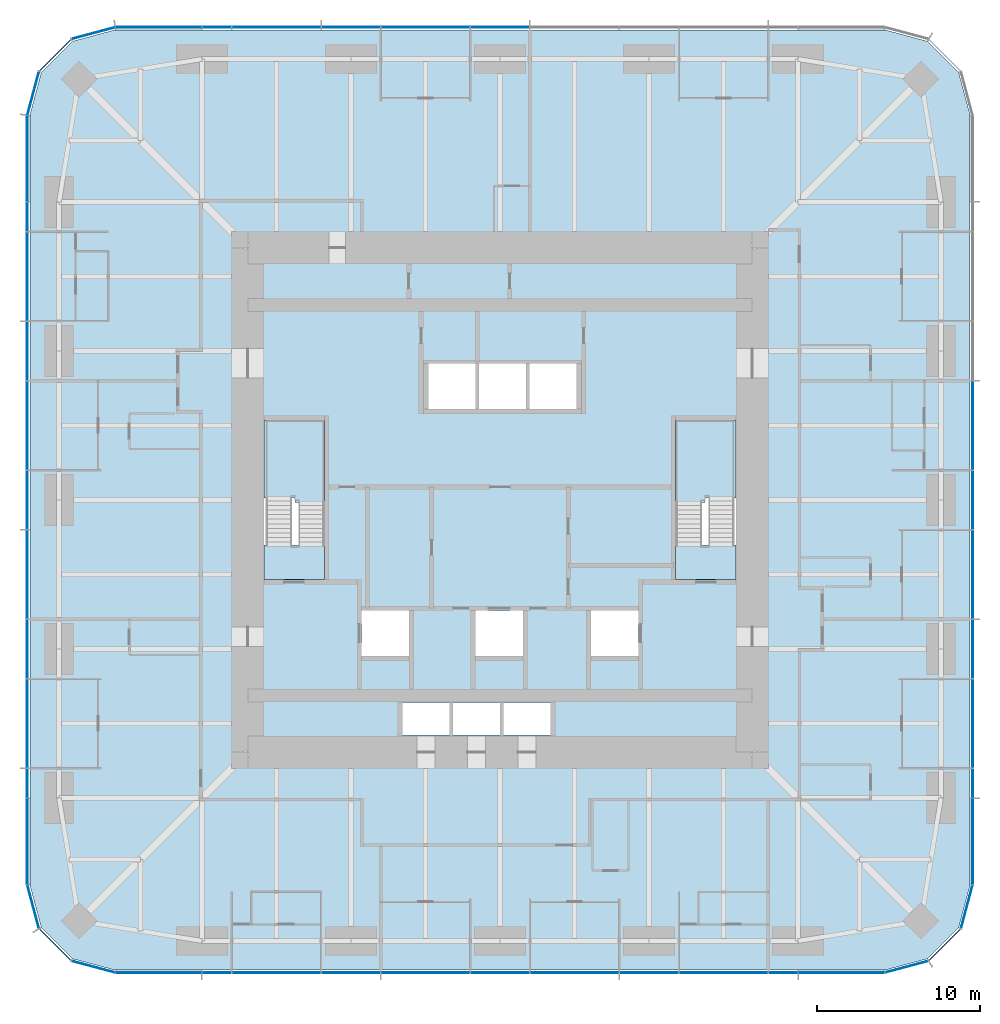
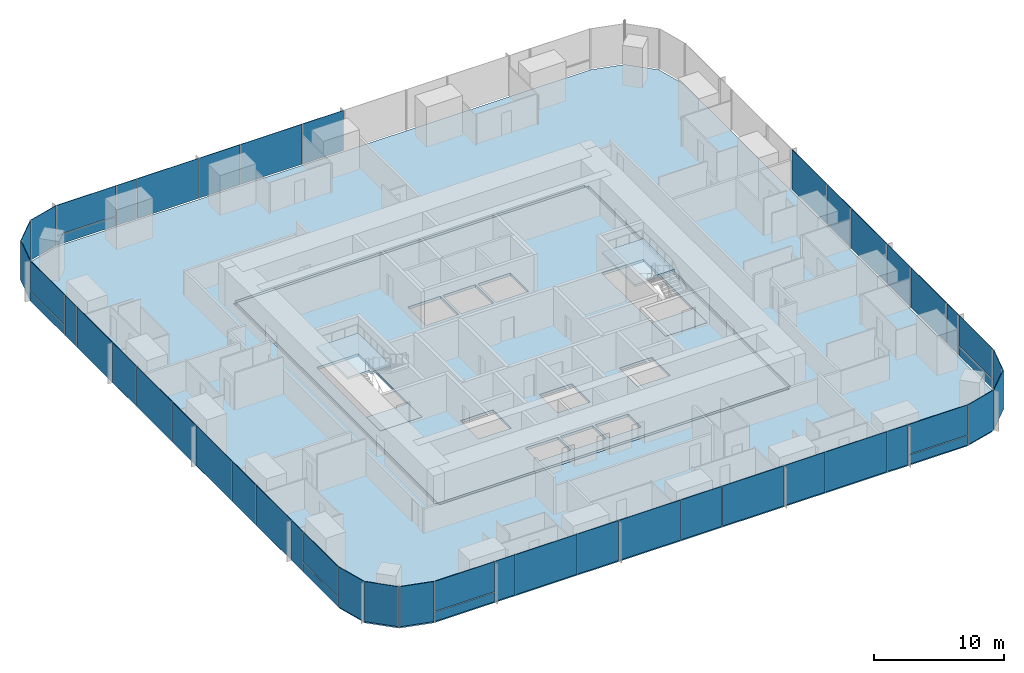
# One storey, part 7 of 13: 50 plates, 6 slabs, 9 elements without a shape of their own.
"""IFC4 building model written with IfcOpenShell, lengths in metres."""

from ifc_helpers import new_model, si_unit, direction, frame, origin, origin_2d, place, context, subcontext, project, spatial, polyline, rectangle, outline, extrude, material, layer, layer_set, type_object, element, aggregate, save


model = new_model("IFC4")

# Units and contexts
model_context = context("Model", 3, precision=1e-05, world=origin(), true_north=direction((0.0, 1.0)))
body_context = subcontext(model_context, "Body", "Model", "MODEL_VIEW")
ifc_project = project(units=[si_unit("LENGTHUNIT", "METRE"), si_unit("AREAUNIT", "SQUARE_METRE"), si_unit("VOLUMEUNIT", "CUBIC_METRE"), si_unit("PLANEANGLEUNIT", "RADIAN"), si_unit("MASSUNIT", "GRAM", prefix="KILO")], contexts=[model_context])

# Site, building, storey
site_placement = place(None, origin())
site = spatial("IfcSite", under=ifc_project, at=site_placement, CompositionType="ELEMENT")
building_placement = place(site_placement, origin())
building = spatial("IfcBuilding", under=site, at=building_placement, Name="Khuree Lantern Residences", CompositionType="ELEMENT")
storey_placement = place(building_placement, frame((0.0, 0.0, 129.75)))
storey = spatial("IfcBuildingStorey", under=building, at=storey_placement, Name="L32", CompositionType="ELEMENT", Elevation=129.75)

# Slab
ifc_material_1 = material(Name="Concrete C35/45", Category="concrete")
ifc_layer_1 = layer(ifc_material_1, 0.25)
ifc_layer_set_1 = layer_set([ifc_layer_1], Name="CFL250 CORE FLOOR SLAB 250")
slab_type_1 = type_object("IfcSlabType", Name="CFL250 CORE FLOOR SLAB 250", PredefinedType="FLOOR", material=ifc_layer_set_1)
slab_1_placement = place(storey_placement, frame((0.0, 0.0, -0.25)))
element("IfcSlab", 1, at=slab_1_placement, inside=storey, type_object=slab_type_1, Name="Core floor L32", PredefinedType="FLOOR", context=body_context, shape_type="SweptSolid", body=[
    extrude(outline(polyline([(-15.5, -15.5), (-15.5, 15.5), (15.5, 15.5), (15.5, -15.5), (-15.5, -15.5)]), holes=[polyline([(10.800048828125, 4.89990234375), (10.800048828125, -4.89990234375), (14.5, -4.89990234375), (14.5, 4.89990234375), (10.800048828125, 4.89990234375)]), polyline([(8.5, -6.800048828125), (5.60009765625, -6.800048828125), (5.60009765625, -9.60009765625), (8.5, -9.60009765625), (8.5, -6.800048828125)]), polyline([(4.699951171875, 8.39990234375), (1.800048828125, 8.39990234375), (1.800048828125, 5.60009765625), (4.699951171875, 5.60009765625), (4.699951171875, 8.39990234375)]), polyline([(3.10009765625, -12.449951171875), (0.199951171875, -12.449951171875), (0.199951171875, -14.449951171875), (3.10009765625, -14.449951171875), (3.10009765625, -12.449951171875)]), polyline([(1.60009765625, 8.39990234375), (-1.300048828125, 8.39990234375), (-1.300048828125, 5.60009765625), (1.60009765625, 5.60009765625), (1.60009765625, 8.39990234375)]), polyline([(1.39990234375, -6.800048828125), (-1.5, -6.800048828125), (-1.5, -9.60009765625), (1.39990234375, -9.60009765625), (1.39990234375, -6.800048828125)]), polyline([(-2.89990234375, -12.449951171875), (-2.89990234375, -14.449951171875), (0.0, -14.449951171875), (0.0, -12.449951171875), (-2.89990234375, -12.449951171875)]), polyline([(-4.39990234375, 8.39990234375), (-4.39990234375, 5.60009765625), (-1.5, 5.60009765625), (-1.5, 8.39990234375), (-4.39990234375, 8.39990234375)]), polyline([(-6.0, -12.449951171875), (-6.0, -14.449951171875), (-3.10009765625, -14.449951171875), (-3.10009765625, -12.449951171875), (-6.0, -12.449951171875)]), polyline([(-8.5, -6.800048828125), (-8.5, -9.60009765625), (-5.60009765625, -9.60009765625), (-5.60009765625, -6.800048828125), (-8.5, -6.800048828125)]), polyline([(-10.800048828125, 4.89990234375), (-14.5, 4.89990234375), (-14.5, -4.89990234375), (-10.800048828125, -4.89990234375), (-10.800048828125, 4.89990234375)])]), origin(), (0.0, 0.0, 1.0), 0.25),
])

# Curtain wall, plates
ifc_material_2 = material(Name="Bronze anodised aluminium", Category="aluminium")
curtain_wall_type_1 = type_object("IfcCurtainWallType", Name="CW-T2 TOWER CORNER CURTAIN WALL", PredefinedType="USERDEFINED", material=ifc_material_2)
curtain_wall_1_placement = place(storey_placement, origin())
curtain_wall_1 = element("IfcCurtainWall", 2, at=curtain_wall_1_placement, inside=storey, type_object=curtain_wall_type_1, Name="L32 SOUTH-EAST CORNER CURTAIN WALL", ObjectType="Faceted corner curtain wall", PredefinedType="USERDEFINED")
ifc_material_3 = material(Name="Bronze tinted triple glazing", Category="glass")
ifc_layer_2 = layer(ifc_material_3, 0.048095703125)
ifc_layer_set_2 = layer_set([ifc_layer_2], Name="FACET PANEL P4")
plate_type_1 = type_object("IfcPlateType", Name="FACET PANEL P4", PredefinedType="CURTAIN_PANEL", material=ifc_layer_set_2)
plate_1_placement = place(storey_placement, frame((24.998046875, -28.688720703125, 0.0), z_axis=(0.0, 0.0, 1.0), x_axis=(0.965925810153, 0.258819105321, 0.0)))
plate_1 = element("IfcPlate", 3, at=plate_1_placement, type_object=plate_type_1, Name="L32 SOUTH-EAST CORNER PANEL 1.1", PredefinedType="CURTAIN_PANEL", context=body_context, shape_type="SweptSolid", body=[
    extrude(rectangle(XDim=2.71923828125, YDim=0.048095703125, at=origin_2d()), origin(), (0.0, 0.0, 1.0), 3.75),
])
plate_2_placement = place(storey_placement, frame((27.33837890625, -27.33837890625, 0.0), z_axis=(0.0, 0.0, 1.0), x_axis=(0.707106781187, 0.707106781187, 0.0)))
plate_2 = element("IfcPlate", 4, at=plate_2_placement, type_object=plate_type_1, Name="L32 SOUTH-EAST CORNER PANEL 2.1", PredefinedType="CURTAIN_PANEL", context=body_context, shape_type="SweptSolid", body=[
    extrude(rectangle(XDim=2.715087890625, YDim=0.048095703125, at=origin_2d()), origin(), (0.0, 0.0, 1.0), 3.75),
])
plate_3_placement = place(storey_placement, frame((28.688720703125, -24.998046875, 0.0), z_axis=(0.0, 0.0, 1.0), x_axis=(0.258819105321, 0.965925810153, 0.0)))
plate_3 = element("IfcPlate", 5, at=plate_3_placement, type_object=plate_type_1, Name="L32 SOUTH-EAST CORNER PANEL 3.1", PredefinedType="CURTAIN_PANEL", context=body_context, shape_type="SweptSolid", body=[
    extrude(rectangle(XDim=2.71923828125, YDim=0.048095703125, at=origin_2d()), origin(), (0.0, 0.0, 1.0), 3.75),
])
aggregate(curtain_wall_1, [plate_1, plate_2, plate_3])

curtain_wall_2_placement = place(storey_placement, origin())
curtain_wall_2 = element("IfcCurtainWall", 6, at=curtain_wall_2_placement, inside=storey, type_object=curtain_wall_type_1, Name="L32 NORTH-WEST CORNER CURTAIN WALL", ObjectType="Faceted corner curtain wall", PredefinedType="USERDEFINED")
plate_4_placement = place(storey_placement, frame((-24.998046875, 28.688720703125, 0.0), z_axis=(0.0, 0.0, 1.0), x_axis=(-0.965925810153, -0.258819105321, 0.0)))
plate_4 = element("IfcPlate", 7, at=plate_4_placement, type_object=plate_type_1, Name="L32 NORTH-WEST CORNER PANEL 29.1", PredefinedType="CURTAIN_PANEL", context=body_context, shape_type="SweptSolid", body=[
    extrude(rectangle(XDim=2.71923828125, YDim=0.048095703125, at=origin_2d()), origin(), (0.0, 0.0, 1.0), 3.75),
])
plate_5_placement = place(storey_placement, frame((-27.33837890625, 27.33837890625, 0.0), z_axis=(0.0, 0.0, 1.0), x_axis=(-0.707106781187, -0.707106781187, 0.0)))
plate_5 = element("IfcPlate", 8, at=plate_5_placement, type_object=plate_type_1, Name="L32 NORTH-WEST CORNER PANEL 30.1", PredefinedType="CURTAIN_PANEL", context=body_context, shape_type="SweptSolid", body=[
    extrude(rectangle(XDim=2.715087890625, YDim=0.048095703125, at=origin_2d()), origin(), (0.0, 0.0, 1.0), 3.75),
])
plate_6_placement = place(storey_placement, frame((-28.688720703125, 24.998046875, 0.0), z_axis=(0.0, 0.0, 1.0), x_axis=(-0.258819105321, -0.965925810153, 0.0)))
plate_6 = element("IfcPlate", 9, at=plate_6_placement, type_object=plate_type_1, Name="L32 NORTH-WEST CORNER PANEL 31.1", PredefinedType="CURTAIN_PANEL", context=body_context, shape_type="SweptSolid", body=[
    extrude(rectangle(XDim=2.71923828125, YDim=0.048095703125, at=origin_2d()), origin(), (0.0, 0.0, 1.0), 3.75),
])
aggregate(curtain_wall_2, [plate_4, plate_5, plate_6])

curtain_wall_3_placement = place(storey_placement, origin())
curtain_wall_3 = element("IfcCurtainWall", 10, at=curtain_wall_3_placement, inside=storey, type_object=curtain_wall_type_1, Name="L32 SOUTH-WEST CORNER CURTAIN WALL", ObjectType="Faceted corner curtain wall", PredefinedType="USERDEFINED")
plate_7_placement = place(storey_placement, frame((-28.688720703125, -24.998046875, 0.0), z_axis=(0.0, 0.0, 1.0), x_axis=(0.258819105321, -0.965925810153, 0.0)))
plate_7 = element("IfcPlate", 11, at=plate_7_placement, type_object=plate_type_1, Name="L32 SOUTH-WEST CORNER PANEL 43.1", PredefinedType="CURTAIN_PANEL", context=body_context, shape_type="SweptSolid", body=[
    extrude(rectangle(XDim=2.71923828125, YDim=0.048095703125, at=origin_2d()), origin(), (0.0, 0.0, 1.0), 3.75),
])
plate_8_placement = place(storey_placement, frame((-27.33837890625, -27.33837890625, 0.0), z_axis=(0.0, 0.0, 1.0), x_axis=(0.707106781187, -0.707106781187, 0.0)))
plate_8 = element("IfcPlate", 12, at=plate_8_placement, type_object=plate_type_1, Name="L32 SOUTH-WEST CORNER PANEL 44.1", PredefinedType="CURTAIN_PANEL", context=body_context, shape_type="SweptSolid", body=[
    extrude(rectangle(XDim=2.715087890625, YDim=0.048095703125, at=origin_2d()), origin(), (0.0, 0.0, 1.0), 3.75),
])
plate_9_placement = place(storey_placement, frame((-24.998046875, -28.688720703125, 0.0), z_axis=(0.0, 0.0, 1.0), x_axis=(0.965925810153, -0.258819105321, 0.0)))
plate_9 = element("IfcPlate", 13, at=plate_9_placement, type_object=plate_type_1, Name="L32 SOUTH-WEST CORNER PANEL 45.1", PredefinedType="CURTAIN_PANEL", context=body_context, shape_type="SweptSolid", body=[
    extrude(rectangle(XDim=2.71923828125, YDim=0.048095703125, at=origin_2d()), origin(), (0.0, 0.0, 1.0), 3.75),
])
aggregate(curtain_wall_3, [plate_7, plate_8, plate_9])

curtain_wall_type_2 = type_object("IfcCurtainWallType", Name="CW-T1 TOWER FACE CURTAIN WALL", PredefinedType="USERDEFINED", material=ifc_material_2)
curtain_wall_4_placement = place(storey_placement, origin())
curtain_wall_4 = element("IfcCurtainWall", 14, at=curtain_wall_4_placement, inside=storey, type_object=curtain_wall_type_2, Name="L32 EAST FACE CURTAIN WALL", ObjectType="Stick-built curtain wall", PredefinedType="USERDEFINED")
ifc_material_4 = material(Name="Bronze tinted triple glazing with a ceramic-fritted spandrel band", Category="glass")
ifc_layer_3 = layer(ifc_material_4, 0.048095703125)
ifc_layer_set_3 = layer_set([ifc_layer_3], Name="FIXED LIGHT PANEL P11")
plate_type_2 = type_object("IfcPlateType", Name="FIXED LIGHT PANEL P11", PredefinedType="CURTAIN_PANEL", material=ifc_layer_set_3)
plate_10_placement = place(storey_placement, frame((29.050048828125, -13.739990234375, 0.0), z_axis=(0.0, 0.0, 1.0), x_axis=(0.0, 1.0, 0.0)))
plate_10 = element("IfcPlate", 15, at=plate_10_placement, type_object=plate_type_2, Name="L32 EAST FACE PANEL 6.1", PredefinedType="CURTAIN_PANEL", context=body_context, shape_type="SweptSolid", body=[
    extrude(rectangle(XDim=5.430908203125, YDim=0.048095703125, at=origin_2d()), origin(), (0.0, 0.0, 1.0), 3.75),
])
plate_11_placement = place(storey_placement, frame((29.050048828125, -4.580078125, 0.0), z_axis=(0.0, 0.0, 1.0), x_axis=(0.0, 1.0, 0.0)))
plate_11 = element("IfcPlate", 16, at=plate_11_placement, type_object=plate_type_2, Name="L32 EAST FACE PANEL 8.1", PredefinedType="CURTAIN_PANEL", context=body_context, shape_type="SweptSolid", body=[
    extrude(rectangle(XDim=5.430908203125, YDim=0.048095703125, at=origin_2d()), origin(), (0.0, 0.0, 1.0), 3.75),
])
plate_12_placement = place(storey_placement, frame((29.050048828125, 4.580078125, 0.0), z_axis=(0.0, 0.0, 1.0), x_axis=(0.0, 1.0, 0.0)))
plate_12 = element("IfcPlate", 17, at=plate_12_placement, type_object=plate_type_2, Name="L32 EAST FACE PANEL 10.1", PredefinedType="CURTAIN_PANEL", context=body_context, shape_type="SweptSolid", body=[
    extrude(rectangle(XDim=5.430908203125, YDim=0.048095703125, at=origin_2d()), origin(), (0.0, 0.0, 1.0), 3.75),
])

curtain_wall_5_placement = place(storey_placement, origin())
curtain_wall_5 = element("IfcCurtainWall", 18, at=curtain_wall_5_placement, inside=storey, type_object=curtain_wall_type_2, Name="L32 NORTH FACE CURTAIN WALL", ObjectType="Stick-built curtain wall", PredefinedType="USERDEFINED")
plate_13_placement = place(storey_placement, frame((-4.580078125, 29.050048828125, 0.0), z_axis=(0.0, 0.0, 1.0), x_axis=(-1.0, 0.0, 0.0)))
plate_13 = element("IfcPlate", 19, at=plate_13_placement, type_object=plate_type_2, Name="L32 NORTH FACE PANEL 24.1", PredefinedType="CURTAIN_PANEL", context=body_context, shape_type="SweptSolid", body=[
    extrude(rectangle(XDim=5.430908203125, YDim=0.048095703125, at=origin_2d()), origin(), (0.0, 0.0, 1.0), 3.75),
])
plate_14_placement = place(storey_placement, frame((-13.739990234375, 29.050048828125, 0.0), z_axis=(0.0, 0.0, 1.0), x_axis=(-1.0, 0.0, 0.0)))
plate_14 = element("IfcPlate", 20, at=plate_14_placement, type_object=plate_type_2, Name="L32 NORTH FACE PANEL 26.1", PredefinedType="CURTAIN_PANEL", context=body_context, shape_type="SweptSolid", body=[
    extrude(rectangle(XDim=5.430908203125, YDim=0.048095703125, at=origin_2d()), origin(), (0.0, 0.0, 1.0), 3.75),
])

curtain_wall_6_placement = place(storey_placement, origin())
curtain_wall_6 = element("IfcCurtainWall", 21, at=curtain_wall_6_placement, inside=storey, type_object=curtain_wall_type_2, Name="L32 WEST FACE CURTAIN WALL", ObjectType="Stick-built curtain wall", PredefinedType="USERDEFINED")
plate_15_placement = place(storey_placement, frame((-29.050048828125, 13.739990234375, 0.0), z_axis=(0.0, 0.0, 1.0), x_axis=(0.0, -1.0, 0.0)))
plate_15 = element("IfcPlate", 22, at=plate_15_placement, type_object=plate_type_2, Name="L32 WEST FACE PANEL 34.1", PredefinedType="CURTAIN_PANEL", context=body_context, shape_type="SweptSolid", body=[
    extrude(rectangle(XDim=5.430908203125, YDim=0.048095703125, at=origin_2d()), origin(), (0.0, 0.0, 1.0), 3.75),
])
plate_16_placement = place(storey_placement, frame((-29.050048828125, 4.580078125, 0.0), z_axis=(0.0, 0.0, 1.0), x_axis=(0.0, -1.0, 0.0)))
plate_16 = element("IfcPlate", 23, at=plate_16_placement, type_object=plate_type_2, Name="L32 WEST FACE PANEL 36.1", PredefinedType="CURTAIN_PANEL", context=body_context, shape_type="SweptSolid", body=[
    extrude(rectangle(XDim=5.430908203125, YDim=0.048095703125, at=origin_2d()), origin(), (0.0, 0.0, 1.0), 3.75),
])
plate_17_placement = place(storey_placement, frame((-29.050048828125, -4.580078125, 0.0), z_axis=(0.0, 0.0, 1.0), x_axis=(0.0, -1.0, 0.0)))
plate_17 = element("IfcPlate", 24, at=plate_17_placement, type_object=plate_type_2, Name="L32 WEST FACE PANEL 38.1", PredefinedType="CURTAIN_PANEL", context=body_context, shape_type="SweptSolid", body=[
    extrude(rectangle(XDim=5.430908203125, YDim=0.048095703125, at=origin_2d()), origin(), (0.0, 0.0, 1.0), 3.75),
])
plate_18_placement = place(storey_placement, frame((-29.050048828125, -13.739990234375, 0.0), z_axis=(0.0, 0.0, 1.0), x_axis=(0.0, -1.0, 0.0)))
plate_18 = element("IfcPlate", 25, at=plate_18_placement, type_object=plate_type_2, Name="L32 WEST FACE PANEL 40.1", PredefinedType="CURTAIN_PANEL", context=body_context, shape_type="SweptSolid", body=[
    extrude(rectangle(XDim=5.430908203125, YDim=0.048095703125, at=origin_2d()), origin(), (0.0, 0.0, 1.0), 3.75),
])

curtain_wall_7_placement = place(storey_placement, origin())
curtain_wall_7 = element("IfcCurtainWall", 26, at=curtain_wall_7_placement, inside=storey, type_object=curtain_wall_type_2, Name="L32 SOUTH FACE CURTAIN WALL", ObjectType="Stick-built curtain wall", PredefinedType="USERDEFINED")
plate_19_placement = place(storey_placement, frame((-13.739990234375, -29.050048828125, 0.0), z_axis=(0.0, 0.0, 1.0), x_axis=(1.0, 0.0, 0.0)))
plate_19 = element("IfcPlate", 27, at=plate_19_placement, type_object=plate_type_2, Name="L32 SOUTH FACE PANEL 48.1", PredefinedType="CURTAIN_PANEL", context=body_context, shape_type="SweptSolid", body=[
    extrude(rectangle(XDim=5.430908203125, YDim=0.048095703125, at=origin_2d()), origin(), (0.0, 0.0, 1.0), 3.75),
])
plate_20_placement = place(storey_placement, frame((-4.580078125, -29.050048828125, 0.0), z_axis=(0.0, 0.0, 1.0), x_axis=(1.0, 0.0, 0.0)))
plate_20 = element("IfcPlate", 28, at=plate_20_placement, type_object=plate_type_2, Name="L32 SOUTH FACE PANEL 50.1", PredefinedType="CURTAIN_PANEL", context=body_context, shape_type="SweptSolid", body=[
    extrude(rectangle(XDim=5.430908203125, YDim=0.048095703125, at=origin_2d()), origin(), (0.0, 0.0, 1.0), 3.75),
])
plate_21_placement = place(storey_placement, frame((4.580078125, -29.050048828125, 0.0), z_axis=(0.0, 0.0, 1.0), x_axis=(1.0, 0.0, 0.0)))
plate_21 = element("IfcPlate", 29, at=plate_21_placement, type_object=plate_type_2, Name="L32 SOUTH FACE PANEL 52.1", PredefinedType="CURTAIN_PANEL", context=body_context, shape_type="SweptSolid", body=[
    extrude(rectangle(XDim=5.430908203125, YDim=0.048095703125, at=origin_2d()), origin(), (0.0, 0.0, 1.0), 3.75),
])
plate_22_placement = place(storey_placement, frame((13.739990234375, -29.050048828125, 0.0), z_axis=(0.0, 0.0, 1.0), x_axis=(1.0, 0.0, 0.0)))
plate_22 = element("IfcPlate", 30, at=plate_22_placement, type_object=plate_type_2, Name="L32 SOUTH FACE PANEL 54.1", PredefinedType="CURTAIN_PANEL", context=body_context, shape_type="SweptSolid", body=[
    extrude(rectangle(XDim=5.430908203125, YDim=0.048095703125, at=origin_2d()), origin(), (0.0, 0.0, 1.0), 3.75),
])

# Slab
ifc_layer_4 = layer(ifc_material_1, 0.25)
ifc_layer_set_4 = layer_set([ifc_layer_4], Name="FS250 FLOOR SLAB 250")
slab_type_2 = type_object("IfcSlabType", Name="FS250 FLOOR SLAB 250", PredefinedType="FLOOR", material=ifc_layer_set_4)
slab_2_placement = place(storey_placement, frame((0.0, 0.0, -0.25)))
element("IfcSlab", 31, at=slab_2_placement, inside=storey, type_object=slab_type_2, Name="Floor slab L32", PredefinedType="FLOOR", context=body_context, shape_type="SweptSolid", body=[
    extrude(outline(polyline([(-26.27490234375, -28.196533203125), (-28.196533203125, -26.27490234375), (-28.89990234375, -23.64990234375), (-28.89990234375, 23.64990234375), (-28.196533203125, 26.27490234375), (-26.27490234375, 28.196533203125), (-23.64990234375, 28.89990234375), (23.64990234375, 28.89990234375), (26.27490234375, 28.196533203125), (28.196533203125, 26.27490234375), (28.89990234375, 23.64990234375), (28.89990234375, -23.64990234375), (28.196533203125, -26.27490234375), (26.27490234375, -28.196533203125), (23.64990234375, -28.89990234375), (-23.64990234375, -28.89990234375), (-26.27490234375, -28.196533203125)]), holes=[polyline([(15.75, 15.5), (15.5, 15.5), (15.5, 15.75), (-15.5, 15.75), (-15.5, 15.5), (-15.75, 15.5), (-15.75, -15.5), (-15.5, -15.5), (-15.5, -15.75), (15.5, -15.75), (15.5, -15.5), (15.75, -15.5), (15.75, 15.5)])]), origin(), (0.0, 0.0, 1.0), 0.25),
])

# Plate
ifc_material_5 = material(Name="Bronze tinted triple glazing, two aluminium-framed sashes in one frame", Category="aluminium")
ifc_layer_5 = layer(ifc_material_5, 0.048095703125)
ifc_layer_set_5 = layer_set([ifc_layer_5], Name="SASH PAIR PANEL P12")
plate_type_3 = type_object("IfcPlateType", Name="SASH PAIR PANEL P12", PredefinedType="CURTAIN_PANEL", material=ifc_layer_set_5)
plate_23_placement = place(storey_placement, frame((29.050048828125, -9.159912109375, 0.0), z_axis=(0.0, 0.0, 1.0), x_axis=(0.0, 1.0, 0.0)))
plate_23 = element("IfcPlate", 32, at=plate_23_placement, type_object=plate_type_3, Name="L32 EAST FACE PANEL 7.1", PredefinedType="CURTAIN_PANEL", context=body_context, shape_type="SweptSolid", body=[
    extrude(rectangle(XDim=3.59912109375, YDim=0.048095703125, at=origin_2d()), origin(), (0.0, 0.0, 1.0), 3.75),
])

plate_24_placement = place(storey_placement, frame((29.050048828125, 0.0, 0.0), z_axis=(0.0, 0.0, 1.0), x_axis=(0.0, 1.0, 0.0)))
plate_24 = element("IfcPlate", 33, at=plate_24_placement, type_object=plate_type_3, Name="L32 EAST FACE PANEL 9.1", PredefinedType="CURTAIN_PANEL", context=body_context, shape_type="SweptSolid", body=[
    extrude(rectangle(XDim=3.59912109375, YDim=0.048095703125, at=origin_2d()), origin(), (0.0, 0.0, 1.0), 3.75),
])

plate_25_placement = place(storey_placement, frame((0.0, 29.050048828125, 0.0), z_axis=(0.0, 0.0, 1.0), x_axis=(-1.0, 0.0, 0.0)))
plate_25 = element("IfcPlate", 34, at=plate_25_placement, type_object=plate_type_3, Name="L32 NORTH FACE PANEL 23.1", PredefinedType="CURTAIN_PANEL", context=body_context, shape_type="SweptSolid", body=[
    extrude(rectangle(XDim=3.59912109375, YDim=0.048095703125, at=origin_2d()), origin(), (0.0, 0.0, 1.0), 3.75),
])

plate_26_placement = place(storey_placement, frame((-9.159912109375, 29.050048828125, 0.0), z_axis=(0.0, 0.0, 1.0), x_axis=(-1.0, 0.0, 0.0)))
plate_26 = element("IfcPlate", 35, at=plate_26_placement, type_object=plate_type_3, Name="L32 NORTH FACE PANEL 25.1", PredefinedType="CURTAIN_PANEL", context=body_context, shape_type="SweptSolid", body=[
    extrude(rectangle(XDim=3.59912109375, YDim=0.048095703125, at=origin_2d()), origin(), (0.0, 0.0, 1.0), 3.75),
])

plate_27_placement = place(storey_placement, frame((-29.050048828125, 9.159912109375, 0.0), z_axis=(0.0, 0.0, 1.0), x_axis=(0.0, -1.0, 0.0)))
plate_27 = element("IfcPlate", 36, at=plate_27_placement, type_object=plate_type_3, Name="L32 WEST FACE PANEL 35.1", PredefinedType="CURTAIN_PANEL", context=body_context, shape_type="SweptSolid", body=[
    extrude(rectangle(XDim=3.59912109375, YDim=0.048095703125, at=origin_2d()), origin(), (0.0, 0.0, 1.0), 3.75),
])

plate_28_placement = place(storey_placement, frame((-29.050048828125, 0.0, 0.0), z_axis=(0.0, 0.0, 1.0), x_axis=(0.0, -1.0, 0.0)))
plate_28 = element("IfcPlate", 37, at=plate_28_placement, type_object=plate_type_3, Name="L32 WEST FACE PANEL 37.1", PredefinedType="CURTAIN_PANEL", context=body_context, shape_type="SweptSolid", body=[
    extrude(rectangle(XDim=3.59912109375, YDim=0.048095703125, at=origin_2d()), origin(), (0.0, 0.0, 1.0), 3.75),
])

plate_29_placement = place(storey_placement, frame((-29.050048828125, -9.159912109375, 0.0), z_axis=(0.0, 0.0, 1.0), x_axis=(0.0, -1.0, 0.0)))
plate_29 = element("IfcPlate", 38, at=plate_29_placement, type_object=plate_type_3, Name="L32 WEST FACE PANEL 39.1", PredefinedType="CURTAIN_PANEL", context=body_context, shape_type="SweptSolid", body=[
    extrude(rectangle(XDim=3.59912109375, YDim=0.048095703125, at=origin_2d()), origin(), (0.0, 0.0, 1.0), 3.75),
])

plate_30_placement = place(storey_placement, frame((-9.159912109375, -29.050048828125, 0.0), z_axis=(0.0, 0.0, 1.0), x_axis=(1.0, 0.0, 0.0)))
plate_30 = element("IfcPlate", 39, at=plate_30_placement, type_object=plate_type_3, Name="L32 SOUTH FACE PANEL 49.1", PredefinedType="CURTAIN_PANEL", context=body_context, shape_type="SweptSolid", body=[
    extrude(rectangle(XDim=3.59912109375, YDim=0.048095703125, at=origin_2d()), origin(), (0.0, 0.0, 1.0), 3.75),
])

plate_31_placement = place(storey_placement, frame((0.0, -29.050048828125, 0.0), z_axis=(0.0, 0.0, 1.0), x_axis=(1.0, 0.0, 0.0)))
plate_31 = element("IfcPlate", 40, at=plate_31_placement, type_object=plate_type_3, Name="L32 SOUTH FACE PANEL 51.1", PredefinedType="CURTAIN_PANEL", context=body_context, shape_type="SweptSolid", body=[
    extrude(rectangle(XDim=3.59912109375, YDim=0.048095703125, at=origin_2d()), origin(), (0.0, 0.0, 1.0), 3.75),
])

plate_32_placement = place(storey_placement, frame((9.159912109375, -29.050048828125, 0.0), z_axis=(0.0, 0.0, 1.0), x_axis=(1.0, 0.0, 0.0)))
plate_32 = element("IfcPlate", 41, at=plate_32_placement, type_object=plate_type_3, Name="L32 SOUTH FACE PANEL 53.1", PredefinedType="CURTAIN_PANEL", context=body_context, shape_type="SweptSolid", body=[
    extrude(rectangle(XDim=3.59912109375, YDim=0.048095703125, at=origin_2d()), origin(), (0.0, 0.0, 1.0), 3.75),
])

ifc_material_6 = material(Name="Bronze tinted triple glazing, aluminium-framed sash", Category="aluminium")
ifc_layer_6 = layer(ifc_material_6, 0.048095703125)
ifc_layer_set_6 = layer_set([ifc_layer_6], Name="SASH PANEL P3")
plate_type_4 = type_object("IfcPlateType", Name="SASH PANEL P3", PredefinedType="CURTAIN_PANEL", material=ifc_layer_set_6)
plate_33_placement = place(storey_placement, frame((29.050048828125, -17.404052734375, 0.0), z_axis=(0.0, 0.0, 1.0), x_axis=(0.0, 1.0, 0.0)))
plate_33 = element("IfcPlate", 42, at=plate_33_placement, type_object=plate_type_4, Name="L32 EAST FACE PANEL 5.1", PredefinedType="CURTAIN_PANEL", context=body_context, shape_type="SweptSolid", body=[
    extrude(rectangle(XDim=1.76708984375, YDim=0.048095703125, at=origin_2d()), origin(), (0.0, 0.0, 1.0), 3.75),
])

plate_34_placement = place(storey_placement, frame((-17.404052734375, 29.050048828125, 0.0), z_axis=(0.0, 0.0, 1.0), x_axis=(-1.0, 0.0, 0.0)))
plate_34 = element("IfcPlate", 43, at=plate_34_placement, type_object=plate_type_4, Name="L32 NORTH FACE PANEL 27.1", PredefinedType="CURTAIN_PANEL", context=body_context, shape_type="SweptSolid", body=[
    extrude(rectangle(XDim=1.76708984375, YDim=0.048095703125, at=origin_2d()), origin(), (0.0, 0.0, 1.0), 3.75),
])

plate_35_placement = place(storey_placement, frame((-29.050048828125, 17.404052734375, 0.0), z_axis=(0.0, 0.0, 1.0), x_axis=(0.0, -1.0, 0.0)))
plate_35 = element("IfcPlate", 44, at=plate_35_placement, type_object=plate_type_4, Name="L32 WEST FACE PANEL 33.1", PredefinedType="CURTAIN_PANEL", context=body_context, shape_type="SweptSolid", body=[
    extrude(rectangle(XDim=1.76708984375, YDim=0.048095703125, at=origin_2d()), origin(), (0.0, 0.0, 1.0), 3.75),
])

plate_36_placement = place(storey_placement, frame((-29.050048828125, -17.404052734375, 0.0), z_axis=(0.0, 0.0, 1.0), x_axis=(0.0, -1.0, 0.0)))
plate_36 = element("IfcPlate", 45, at=plate_36_placement, type_object=plate_type_4, Name="L32 WEST FACE PANEL 41.1", PredefinedType="CURTAIN_PANEL", context=body_context, shape_type="SweptSolid", body=[
    extrude(rectangle(XDim=1.76708984375, YDim=0.048095703125, at=origin_2d()), origin(), (0.0, 0.0, 1.0), 3.75),
])

plate_37_placement = place(storey_placement, frame((-17.404052734375, -29.050048828125, 0.0), z_axis=(0.0, 0.0, 1.0), x_axis=(1.0, 0.0, 0.0)))
plate_37 = element("IfcPlate", 46, at=plate_37_placement, type_object=plate_type_4, Name="L32 SOUTH FACE PANEL 47.1", PredefinedType="CURTAIN_PANEL", context=body_context, shape_type="SweptSolid", body=[
    extrude(rectangle(XDim=1.76708984375, YDim=0.048095703125, at=origin_2d()), origin(), (0.0, 0.0, 1.0), 3.75),
])

plate_38_placement = place(storey_placement, frame((17.404052734375, -29.050048828125, 0.0), z_axis=(0.0, 0.0, 1.0), x_axis=(1.0, 0.0, 0.0)))
plate_38 = element("IfcPlate", 47, at=plate_38_placement, type_object=plate_type_4, Name="L32 SOUTH FACE PANEL 55.1", PredefinedType="CURTAIN_PANEL", context=body_context, shape_type="SweptSolid", body=[
    extrude(rectangle(XDim=1.76708984375, YDim=0.048095703125, at=origin_2d()), origin(), (0.0, 0.0, 1.0), 3.75),
])

ifc_material_7 = material(Name="Bronze anodised aluminium insulated spandrel", Category="aluminium")
ifc_layer_7 = layer(ifc_material_7, 0.06005859375)
ifc_layer_set_7 = layer_set([ifc_layer_7], Name="SPANDREL PANEL P2")
plate_type_5 = type_object("IfcPlateType", Name="SPANDREL PANEL P2", PredefinedType="CURTAIN_PANEL", material=ifc_layer_set_7)
plate_39_placement = place(storey_placement, frame((29.050048828125, -20.98291015625, 0.0), z_axis=(0.0, 0.0, 1.0), x_axis=(0.0, 1.0, 0.0)))
plate_39 = element("IfcPlate", 48, at=plate_39_placement, type_object=plate_type_5, Name="L32 EAST FACE PANEL 4.1", PredefinedType="CURTAIN_PANEL", context=body_context, shape_type="SweptSolid", body=[
    extrude(rectangle(XDim=5.2607421875, YDim=0.06005859375, at=origin_2d()), origin(), (0.0, 0.0, 1.0), 0.867431640625),
])

plate_40_placement = place(storey_placement, frame((-20.98291015625, 29.050048828125, 0.0), z_axis=(0.0, 0.0, 1.0), x_axis=(-1.0, 0.0, 0.0)))
plate_40 = element("IfcPlate", 49, at=plate_40_placement, type_object=plate_type_5, Name="L32 NORTH FACE PANEL 28.1", PredefinedType="CURTAIN_PANEL", context=body_context, shape_type="SweptSolid", body=[
    extrude(rectangle(XDim=5.2607421875, YDim=0.06005859375, at=origin_2d()), origin(), (0.0, 0.0, 1.0), 0.867431640625),
])

plate_41_placement = place(storey_placement, frame((-29.050048828125, 20.98291015625, 0.0), z_axis=(0.0, 0.0, 1.0), x_axis=(0.0, -1.0, 0.0)))
plate_41 = element("IfcPlate", 50, at=plate_41_placement, type_object=plate_type_5, Name="L32 WEST FACE PANEL 32.1", PredefinedType="CURTAIN_PANEL", context=body_context, shape_type="SweptSolid", body=[
    extrude(rectangle(XDim=5.2607421875, YDim=0.06005859375, at=origin_2d()), origin(), (0.0, 0.0, 1.0), 0.867431640625),
])

plate_42_placement = place(storey_placement, frame((-29.050048828125, -20.98291015625, 0.0), z_axis=(0.0, 0.0, 1.0), x_axis=(0.0, -1.0, 0.0)))
plate_42 = element("IfcPlate", 51, at=plate_42_placement, type_object=plate_type_5, Name="L32 WEST FACE PANEL 42.1", PredefinedType="CURTAIN_PANEL", context=body_context, shape_type="SweptSolid", body=[
    extrude(rectangle(XDim=5.2607421875, YDim=0.06005859375, at=origin_2d()), origin(), (0.0, 0.0, 1.0), 0.867431640625),
])

plate_43_placement = place(storey_placement, frame((-20.98291015625, -29.050048828125, 0.0), z_axis=(0.0, 0.0, 1.0), x_axis=(1.0, 0.0, 0.0)))
plate_43 = element("IfcPlate", 52, at=plate_43_placement, type_object=plate_type_5, Name="L32 SOUTH FACE PANEL 46.1", PredefinedType="CURTAIN_PANEL", context=body_context, shape_type="SweptSolid", body=[
    extrude(rectangle(XDim=5.2607421875, YDim=0.06005859375, at=origin_2d()), origin(), (0.0, 0.0, 1.0), 0.867431640625),
])

plate_44_placement = place(storey_placement, frame((20.98291015625, -29.050048828125, 0.0), z_axis=(0.0, 0.0, 1.0), x_axis=(1.0, 0.0, 0.0)))
plate_44 = element("IfcPlate", 53, at=plate_44_placement, type_object=plate_type_5, Name="L32 SOUTH FACE PANEL 56.1", PredefinedType="CURTAIN_PANEL", context=body_context, shape_type="SweptSolid", body=[
    extrude(rectangle(XDim=5.2607421875, YDim=0.06005859375, at=origin_2d()), origin(), (0.0, 0.0, 1.0), 0.867431640625),
])

# Stair, slabs
ifc_material_8 = material(Name="Concrete C40/50", Category="concrete")
stair_type = type_object("IfcStairType", Name="STAIR ST1 HALF TURN 3600", PredefinedType="HALF_TURN_STAIR", material=ifc_material_8)
stair_1_placement = place(storey_placement, origin())
stair_1 = element("IfcStair", 54, at=stair_1_placement, inside=storey, type_object=stair_type, Name="Stair ST1", PredefinedType="HALF_TURN_STAIR")
ifc_layer_8 = layer(ifc_material_8, 0.199951171875)
ifc_layer_set_8 = layer_set([ifc_layer_8], Name="STAIR LANDING SL1 200")
slab_type_3 = type_object("IfcSlabType", Name="STAIR LANDING SL1 200", PredefinedType="LANDING", material=ifc_layer_set_8)
slab_3_placement = place(storey_placement, frame((0.0, 0.0, -0.199951171875)))
slab_3 = element("IfcSlab", 55, at=slab_3_placement, type_object=slab_type_3, Name="ST1 landing 1", PredefinedType="LANDING", context=body_context, shape_type="SweptSolid", body=[
    extrude(outline(polyline([(-14.5, -4.89990234375), (-10.800048828125, -4.89990234375), (-10.800048828125, -2.760009765625), (-14.5, -2.760009765625), (-14.5, -4.89990234375)])), origin(), (0.0, 0.0, 1.0), 0.199951171875),
])
slab_4_placement = place(storey_placement, frame((0.0, 0.0, 1.756591796875)))
slab_4 = element("IfcSlab", 56, at=slab_4_placement, type_object=slab_type_3, Name="ST1 landing 2", PredefinedType="LANDING", context=body_context, shape_type="SweptSolid", body=[
    extrude(outline(polyline([(-14.5, 0.1201171875), (-14.5, 4.89990234375), (-10.800048828125, 4.89990234375), (-10.800048828125, -0.159912109375), (-12.60009765625, -0.159912109375), (-12.60009765625, 0.1201171875), (-14.5, 0.1201171875)])), origin(), (0.0, 0.0, 1.0), 0.199951171875),
])
aggregate(stair_1, [slab_3, slab_4])

stair_2_placement = place(storey_placement, origin())
stair_2 = element("IfcStair", 57, at=stair_2_placement, inside=storey, type_object=stair_type, Name="Stair ST2", PredefinedType="HALF_TURN_STAIR")
slab_5_placement = place(storey_placement, frame((0.0, 0.0, -0.199951171875)))
slab_5 = element("IfcSlab", 58, at=slab_5_placement, type_object=slab_type_3, Name="ST2 landing 1", PredefinedType="LANDING", context=body_context, shape_type="SweptSolid", body=[
    extrude(outline(polyline([(10.800048828125, -4.89990234375), (14.5, -4.89990234375), (14.5, -2.760009765625), (10.800048828125, -2.760009765625), (10.800048828125, -4.89990234375)])), origin(), (0.0, 0.0, 1.0), 0.199951171875),
])
slab_6_placement = place(storey_placement, frame((0.0, 0.0, 1.756591796875)))
slab_6 = element("IfcSlab", 59, at=slab_6_placement, type_object=slab_type_3, Name="ST2 landing 2", PredefinedType="LANDING", context=body_context, shape_type="SweptSolid", body=[
    extrude(outline(polyline([(14.5, 4.89990234375), (14.5, 0.1201171875), (12.60009765625, 0.1201171875), (12.60009765625, -0.159912109375), (10.800048828125, -0.159912109375), (10.800048828125, 4.89990234375), (14.5, 4.89990234375)])), origin(), (0.0, 0.0, 1.0), 0.199951171875),
])
aggregate(stair_2, [slab_5, slab_6])

# Plate
ifc_layer_9 = layer(ifc_material_3, 0.048095703125)
ifc_layer_set_9 = layer_set([ifc_layer_9], Name="VISION PANEL P1")
plate_type_6 = type_object("IfcPlateType", Name="VISION PANEL P1", PredefinedType="CURTAIN_PANEL", material=ifc_layer_set_9)
plate_45_placement = place(storey_placement, frame((29.050048828125, -20.9833984375, 0.9326171875), z_axis=(0.0, 0.0, 1.0), x_axis=(0.0, 1.0, 0.0)))
plate_45 = element("IfcPlate", 60, at=plate_45_placement, type_object=plate_type_6, Name="L32 EAST FACE PANEL 4.2", PredefinedType="CURTAIN_PANEL", context=body_context, shape_type="SweptSolid", body=[
    extrude(rectangle(XDim=5.261474609375, YDim=0.048095703125, at=origin_2d()), origin(), (0.0, 0.0, 1.0), 2.8173828125),
])

aggregate(curtain_wall_4, [plate_39, plate_45, plate_33, plate_10, plate_23, plate_11, plate_24, plate_12])

plate_46_placement = place(storey_placement, frame((-20.9833984375, 29.050048828125, 0.9326171875), z_axis=(0.0, 0.0, 1.0), x_axis=(-1.0, 0.0, 0.0)))
plate_46 = element("IfcPlate", 61, at=plate_46_placement, type_object=plate_type_6, Name="L32 NORTH FACE PANEL 28.2", PredefinedType="CURTAIN_PANEL", context=body_context, shape_type="SweptSolid", body=[
    extrude(rectangle(XDim=5.261474609375, YDim=0.048095703125, at=origin_2d()), origin(), (0.0, 0.0, 1.0), 2.8173828125),
])

aggregate(curtain_wall_5, [plate_25, plate_13, plate_26, plate_14, plate_34, plate_40, plate_46])

plate_47_placement = place(storey_placement, frame((-29.050048828125, 20.9833984375, 0.9326171875), z_axis=(0.0, 0.0, 1.0), x_axis=(0.0, -1.0, 0.0)))
plate_47 = element("IfcPlate", 62, at=plate_47_placement, type_object=plate_type_6, Name="L32 WEST FACE PANEL 32.2", PredefinedType="CURTAIN_PANEL", context=body_context, shape_type="SweptSolid", body=[
    extrude(rectangle(XDim=5.261474609375, YDim=0.048095703125, at=origin_2d()), origin(), (0.0, 0.0, 1.0), 2.8173828125),
])

plate_48_placement = place(storey_placement, frame((-29.050048828125, -20.9833984375, 0.9326171875), z_axis=(0.0, 0.0, 1.0), x_axis=(0.0, -1.0, 0.0)))
plate_48 = element("IfcPlate", 63, at=plate_48_placement, type_object=plate_type_6, Name="L32 WEST FACE PANEL 42.2", PredefinedType="CURTAIN_PANEL", context=body_context, shape_type="SweptSolid", body=[
    extrude(rectangle(XDim=5.261474609375, YDim=0.048095703125, at=origin_2d()), origin(), (0.0, 0.0, 1.0), 2.8173828125),
])

aggregate(curtain_wall_6, [plate_41, plate_47, plate_35, plate_15, plate_27, plate_16, plate_28, plate_17, plate_29, plate_18, plate_36, plate_42, plate_48])

plate_49_placement = place(storey_placement, frame((-20.9833984375, -29.050048828125, 0.9326171875), z_axis=(0.0, 0.0, 1.0), x_axis=(1.0, 0.0, 0.0)))
plate_49 = element("IfcPlate", 64, at=plate_49_placement, type_object=plate_type_6, Name="L32 SOUTH FACE PANEL 46.2", PredefinedType="CURTAIN_PANEL", context=body_context, shape_type="SweptSolid", body=[
    extrude(rectangle(XDim=5.261474609375, YDim=0.048095703125, at=origin_2d()), origin(), (0.0, 0.0, 1.0), 2.8173828125),
])

plate_50_placement = place(storey_placement, frame((20.9833984375, -29.050048828125, 0.9326171875), z_axis=(0.0, 0.0, 1.0), x_axis=(1.0, 0.0, 0.0)))
plate_50 = element("IfcPlate", 65, at=plate_50_placement, type_object=plate_type_6, Name="L32 SOUTH FACE PANEL 56.2", PredefinedType="CURTAIN_PANEL", context=body_context, shape_type="SweptSolid", body=[
    extrude(rectangle(XDim=5.261474609375, YDim=0.048095703125, at=origin_2d()), origin(), (0.0, 0.0, 1.0), 2.8173828125),
])

aggregate(curtain_wall_7, [plate_43, plate_49, plate_37, plate_19, plate_30, plate_20, plate_31, plate_21, plate_32, plate_22, plate_38, plate_44, plate_50])

save(model, "model.ifc")
